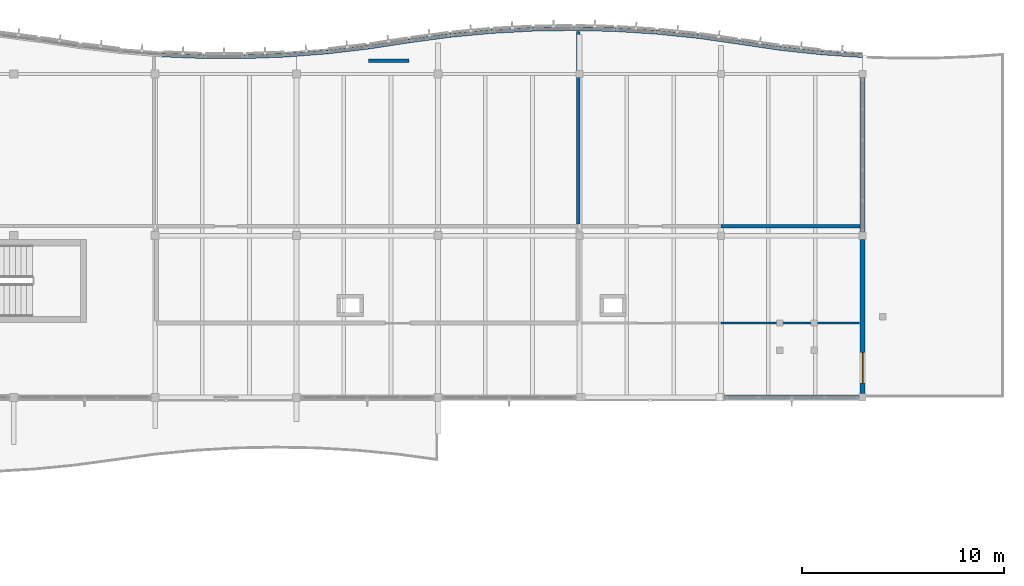
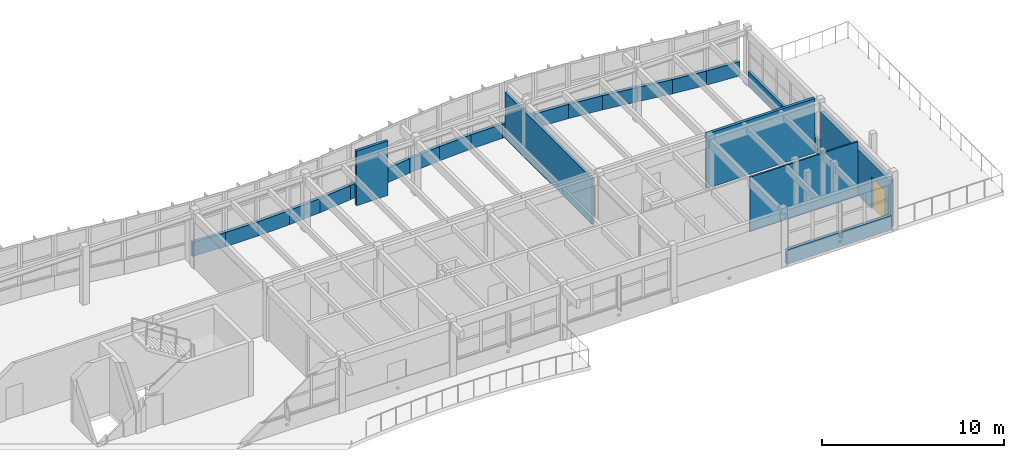
# One storey, part 43 of 63: 24 walls, 1 door, 1 opening.
"""IFC4 building model written with IfcOpenShell, lengths in metres."""

from ifc_helpers import new_model, si_unit, direction, frame, frame_2d, origin, place, context, subcontext, project, spatial, rectangle, extrude, material, layer, layer_set, type_object, element, fill, save


model = new_model("IFC4")

# Units and contexts
model_context = context("Model", 3, precision=1e-05, world=origin(), true_north=direction((0.0, 1.0)))
body_context = subcontext(model_context, "Body", "Model", "MODEL_VIEW")
ifc_project = project(units=[si_unit("LENGTHUNIT", "METRE"), si_unit("AREAUNIT", "SQUARE_METRE"), si_unit("VOLUMEUNIT", "CUBIC_METRE"), si_unit("PLANEANGLEUNIT", "RADIAN"), si_unit("MASSUNIT", "GRAM", prefix="KILO")], contexts=[model_context])

# Site, building, storey
site_placement = place(None, origin())
site = spatial("IfcSite", under=ifc_project, at=site_placement, CompositionType="ELEMENT")
building_placement = place(site_placement, origin())
building = spatial("IfcBuilding", under=site, at=building_placement, Name="Tonlespit Floodbar School", CompositionType="ELEMENT")
storey_placement = place(building_placement, frame((0.0, 0.0, 8.39990234375)))
storey = spatial("IfcBuildingStorey", under=building, at=storey_placement, Name="L02", CompositionType="ELEMENT", Elevation=8.39990234375)

# Wall, opening, door
ifc_material_1 = material(Name="Precast concrete C40/50", Category="concrete")
ifc_layer_1 = layer(ifc_material_1, 0.239990234375)
ifc_layer_set_1 = layer_set([ifc_layer_1], Name="Precast concrete C40/50")
wall_type_1 = type_object("IfcWallType", Name="ExtWall_Rainscreen_240", PredefinedType="SOLIDWALL", material=ifc_layer_set_1)
wall_1_placement = place(storey_placement, frame((169.0, 111.820068359375, 0.0), z_axis=(0.0, 0.0, 1.0), x_axis=(0.0, -1.0, 0.0)))
wall_1 = element("IfcWall", 1, at=wall_1_placement, inside=storey, type_object=wall_type_1, Name="L02 external wall 0622", PredefinedType="SOLIDWALL", context=body_context, shape_type="SweptSolid", body=[
    extrude(rectangle(XDim=7.64013671875, YDim=0.239990234375, at=frame_2d((3.820068359375, 0.0))), origin(), (0.0, 0.0, 1.0), 3.088134765625),
])
opening_placement = place(wall_1_placement, frame((5.60009765625, 0.0, 0.0)))
opening = element("IfcOpeningElement", 2, at=opening_placement, cuts=wall_1, Name="Opening D-TR-032", PredefinedType="OPENING", context=body_context, shape_type="SweptSolid", body=[
    extrude(rectangle(XDim=1.5, YDim=2.14990234375, at=frame_2d((0.75, 1.074951171875))), frame((0.0, 0.1298828125, 0.0), z_axis=(0.0, -1.0, 0.0), x_axis=(1.0, 0.0, 0.0)), (0.0, 0.0, 1.0), 0.260009765625),
])
ifc_material_2 = material(Name="Anodised Aluminium", Category="aluminium")
door_type = type_object("IfcDoorType", Name="ExtDoor_Terrace_1500x2150", OperationType="NOTDEFINED", PredefinedType="DOOR", material=ifc_material_2)
door_placement = place(opening_placement, origin())
door = element("IfcDoor", 3, at=door_placement, inside=storey, type_object=door_type, Name="L02 exterior door D-TR-032", OperationType="SINGLE_SWING_RIGHT", OverallHeight=2.14990234375, OverallWidth=1.5, PredefinedType="DOOR", context=body_context, shape_type="SweptSolid", body=[
    extrude(rectangle(XDim=1.5, YDim=2.14990234375, at=frame_2d((0.75, 1.074951171875))), frame((0.0, 0.02490234375, 0.0), z_axis=(0.0, -1.0, 0.0), x_axis=(1.0, 0.0, 0.0)), (0.0, 0.0, 1.0), 0.050048828125),
])
fill(opening, door)

# Walls
ifc_material_3 = material(Name="White Architectural Precast concrete C40/50", Category="concrete")
ifc_layer_2 = layer(ifc_material_3, 0.18505859375)
ifc_layer_set_2 = layer_set([ifc_layer_2], Name="White Architectural Precast concrete C40/50")
wall_type_2 = type_object("IfcWallType", Name="ExtWall_Spandrel_White_185", PredefinedType="SOLIDWALL", material=ifc_layer_set_2)
wall_2_placement = place(storey_placement, frame((169.0, 119.820068359375, 0.0), z_axis=(0.0, 0.0, 1.0), x_axis=(0.0, -1.0, 0.0)))
element("IfcWall", 4, at=wall_2_placement, inside=storey, type_object=wall_type_2, Name="L02 spandrel wall 0621", PredefinedType="SOLIDWALL", context=body_context, shape_type="SweptSolid", body=[
    extrude(rectangle(XDim=7.64013671875, YDim=0.18505859375, at=frame_2d((3.820068359375, 0.0))), origin(), (0.0, 0.0, 1.0), 0.9501953125),
])
ifc_layer_3 = layer(ifc_material_3, 0.199951171875)
ifc_layer_set_3 = layer_set([ifc_layer_3], Name="White Architectural Precast concrete C40/50")
wall_type_3 = type_object("IfcWallType", Name="ExtWall_Spandrel_White_200", PredefinedType="SOLIDWALL", material=ifc_layer_set_3)
wall_3_placement = place(storey_placement, frame((134.34619140625, 120.9462890625, 0.0), z_axis=(0.0, 0.0, 1.0), x_axis=(0.999157169977, -0.041048138616, 0.0)))
element("IfcWall", 5, at=wall_3_placement, inside=storey, type_object=wall_type_3, Name="L02 spandrel wall 0604", PredefinedType="SOLIDWALL", context=body_context, shape_type="SweptSolid", body=[
    extrude(rectangle(XDim=2.0400390625, YDim=0.199951171875, at=frame_2d((1.02001953125, 0.0))), origin(), (0.0, 0.0, 1.0), 0.9501953125),
])
wall_4_placement = place(storey_placement, frame((136.384521484375, 120.862548828125, 0.0), z_axis=(0.0, 0.0, 1.0), x_axis=(0.999998386465, -0.001796404287, 0.0)))
element("IfcWall", 6, at=wall_4_placement, inside=storey, type_object=wall_type_3, Name="L02 spandrel wall 0605", PredefinedType="SOLIDWALL", context=body_context, shape_type="SweptSolid", body=[
    extrude(rectangle(XDim=2.03857421875, YDim=0.199951171875, at=frame_2d((1.019287109375, 0.0))), origin(), (0.0, 0.0, 1.0), 0.9501953125),
])
wall_5_placement = place(storey_placement, frame((138.423095703125, 120.85888671875, 0.0), z_axis=(0.0, 0.0, 1.0), x_axis=(0.999302481561, 0.037343678794, 0.0)))
element("IfcWall", 7, at=wall_5_placement, inside=storey, type_object=wall_type_3, Name="L02 spandrel wall 0606", PredefinedType="SOLIDWALL", context=body_context, shape_type="SweptSolid", body=[
    extrude(rectangle(XDim=2.039794921875, YDim=0.199951171875, at=frame_2d((1.02001953125, 0.0))), origin(), (0.0, 0.0, 1.0), 0.9501953125),
])
wall_6_placement = place(storey_placement, frame((140.46142578125, 120.93505859375, 0.0), z_axis=(0.0, 0.0, 1.0), x_axis=(0.997066414333, 0.076541266058, 0.0)))
element("IfcWall", 8, at=wall_6_placement, inside=storey, type_object=wall_type_3, Name="L02 spandrel wall 0607", PredefinedType="SOLIDWALL", context=body_context, shape_type="SweptSolid", body=[
    extrude(rectangle(XDim=2.044677734375, YDim=0.199951171875, at=frame_2d((1.0224609375, 0.0))), origin(), (0.0, 0.0, 1.0), 0.9501953125),
])
wall_7_placement = place(storey_placement, frame((142.5, 121.091552734375, 0.0), z_axis=(0.0, 0.0, 1.0), x_axis=(0.993279103406, 0.115743780553, 0.0)))
element("IfcWall", 9, at=wall_7_placement, inside=storey, type_object=wall_type_3, Name="L02 spandrel wall 0608", PredefinedType="SOLIDWALL", context=body_context, shape_type="SweptSolid", body=[
    extrude(rectangle(XDim=2.05224609375, YDim=0.199951171875, at=frame_2d((1.026123046875, 0.0))), origin(), (0.0, 0.0, 1.0), 0.9501953125),
])
wall_8_placement = place(storey_placement, frame((144.53857421875, 121.3291015625, 0.0), z_axis=(0.0, 0.0, 1.0), x_axis=(0.988397686874, 0.151888158134, 0.0)))
element("IfcWall", 10, at=wall_8_placement, inside=storey, type_object=wall_type_3, Name="L02 spandrel wall 0609", PredefinedType="SOLIDWALL", context=body_context, shape_type="SweptSolid", body=[
    extrude(rectangle(XDim=2.062255859375, YDim=0.199951171875, at=frame_2d((1.03125, 0.0))), origin(), (0.0, 0.0, 1.0), 0.9501953125),
])
wall_9_placement = place(storey_placement, frame((146.576904296875, 121.642333984375, 0.0), z_axis=(0.0, 0.0, 1.0), x_axis=(0.99115518283, 0.132707963402, 0.0)))
element("IfcWall", 11, at=wall_9_placement, inside=storey, type_object=wall_type_3, Name="L02 spandrel wall 0610", PredefinedType="SOLIDWALL", context=body_context, shape_type="SweptSolid", body=[
    extrude(rectangle(XDim=2.056884765625, YDim=0.199951171875, at=frame_2d((1.0283203125, 0.0))), origin(), (0.0, 0.0, 1.0), 0.9501953125),
])
wall_10_placement = place(storey_placement, frame((148.615478515625, 121.915283203125, 0.0), z_axis=(0.0, 0.0, 1.0), x_axis=(0.995608908315, 0.093610371665, 0.0)))
element("IfcWall", 12, at=wall_10_placement, inside=storey, type_object=wall_type_3, Name="L02 spandrel wall 0611", PredefinedType="SOLIDWALL", context=body_context, shape_type="SweptSolid", body=[
    extrude(rectangle(XDim=2.04736328125, YDim=0.199951171875, at=frame_2d((1.023681640625, 0.0))), origin(), (0.0, 0.0, 1.0), 0.9501953125),
])
wall_11_placement = place(storey_placement, frame((150.65380859375, 122.10693359375, 0.0), z_axis=(0.0, 0.0, 1.0), x_axis=(0.998518662535, 0.054410298378, 0.0)))
element("IfcWall", 13, at=wall_11_placement, inside=storey, type_object=wall_type_3, Name="L02 spandrel wall 0612", PredefinedType="SOLIDWALL", context=body_context, shape_type="SweptSolid", body=[
    extrude(rectangle(XDim=2.04150390625, YDim=0.199951171875, at=frame_2d((1.020751953125, 0.0))), origin(), (0.0, 0.0, 1.0), 0.9501953125),
])
wall_12_placement = place(storey_placement, frame((152.6923828125, 122.218017578125, 0.0), z_axis=(0.0, 0.0, 1.0), x_axis=(0.999886140835, 0.01508990942, 0.0)))
element("IfcWall", 14, at=wall_12_placement, inside=storey, type_object=wall_type_3, Name="L02 spandrel wall 0613", PredefinedType="SOLIDWALL", context=body_context, shape_type="SweptSolid", body=[
    extrude(rectangle(XDim=2.03857421875, YDim=0.199951171875, at=frame_2d((1.019287109375, 0.0))), origin(), (0.0, 0.0, 1.0), 0.9501953125),
])
wall_13_placement = place(storey_placement, frame((154.730712890625, 122.248779296875, 0.0), z_axis=(0.0, 0.0, 1.0), x_axis=(0.99971327192, -0.02394522807, 0.0)))
element("IfcWall", 15, at=wall_13_placement, inside=storey, type_object=wall_type_3, Name="L02 spandrel wall 0614", PredefinedType="SOLIDWALL", context=body_context, shape_type="SweptSolid", body=[
    extrude(rectangle(XDim=2.0390625, YDim=0.199951171875, at=frame_2d((1.01953125, 0.0))), origin(), (0.0, 0.0, 1.0), 0.9501953125),
])
wall_14_placement = place(storey_placement, frame((156.769287109375, 122.199951171875, 0.0), z_axis=(0.0, 0.0, 1.0), x_axis=(0.99799872308, -0.063234078873, 0.0)))
element("IfcWall", 16, at=wall_14_placement, inside=storey, type_object=wall_type_3, Name="L02 spandrel wall 0615", PredefinedType="SOLIDWALL", context=body_context, shape_type="SweptSolid", body=[
    extrude(rectangle(XDim=2.04248046875, YDim=0.199951171875, at=frame_2d((1.021240234375, 0.0))), origin(), (0.0, 0.0, 1.0), 0.9501953125),
])
wall_15_placement = place(storey_placement, frame((158.8076171875, 122.07080078125, 0.0), z_axis=(0.0, 0.0, 1.0), x_axis=(0.994725796178, -0.102569929402, 0.0)))
element("IfcWall", 17, at=wall_15_placement, inside=storey, type_object=wall_type_3, Name="L02 spandrel wall 0616", PredefinedType="SOLIDWALL", context=body_context, shape_type="SweptSolid", body=[
    extrude(rectangle(XDim=2.04931640625, YDim=0.199951171875, at=frame_2d((1.024658203125, 0.0))), origin(), (0.0, 0.0, 1.0), 0.9501953125),
])
wall_16_placement = place(storey_placement, frame((160.84619140625, 121.860595703125, 0.0), z_axis=(0.0, 0.0, 1.0), x_axis=(0.989928140064, -0.141570750897, 0.0)))
element("IfcWall", 18, at=wall_16_placement, inside=storey, type_object=wall_type_3, Name="L02 spandrel wall 0617", PredefinedType="SOLIDWALL", context=body_context, shape_type="SweptSolid", body=[
    extrude(rectangle(XDim=2.05908203125, YDim=0.199951171875, at=frame_2d((1.029541015625, 0.0))), origin(), (0.0, 0.0, 1.0), 0.9501953125),
])
wall_17_placement = place(storey_placement, frame((162.884521484375, 121.569091796875, 0.0), z_axis=(0.0, 0.0, 1.0), x_axis=(0.989289802652, -0.145964675074, 0.0)))
element("IfcWall", 19, at=wall_17_placement, inside=storey, type_object=wall_type_3, Name="L02 spandrel wall 0618", PredefinedType="SOLIDWALL", context=body_context, shape_type="SweptSolid", body=[
    extrude(rectangle(XDim=2.060546875, YDim=0.199951171875, at=frame_2d((1.0302734375, 0.0))), origin(), (0.0, 0.0, 1.0), 0.9501953125),
])
wall_18_placement = place(storey_placement, frame((164.923095703125, 121.268310546875, 0.0), z_axis=(0.0, 0.0, 1.0), x_axis=(0.994265369638, -0.106940987176, 0.0)))
element("IfcWall", 20, at=wall_18_placement, inside=storey, type_object=wall_type_3, Name="L02 spandrel wall 0619", PredefinedType="SOLIDWALL", context=body_context, shape_type="SweptSolid", body=[
    extrude(rectangle(XDim=2.050048828125, YDim=0.199951171875, at=frame_2d((1.02490234375, 0.0))), origin(), (0.0, 0.0, 1.0), 0.9501953125),
])
wall_19_placement = place(storey_placement, frame((166.96142578125, 121.049072265625, 0.0), z_axis=(0.0, 0.0, 1.0), x_axis=(0.997702452791, -0.067748178531, 0.0)))
element("IfcWall", 21, at=wall_19_placement, inside=storey, type_object=wall_type_3, Name="L02 spandrel wall 0620", PredefinedType="SOLIDWALL", context=body_context, shape_type="SweptSolid", body=[
    extrude(rectangle(XDim=2.043212890625, YDim=0.199951171875, at=frame_2d((1.021484375, 0.0))), origin(), (0.0, 0.0, 1.0), 0.9501953125),
])
wall_20_placement = place(storey_placement, frame((168.820068359375, 104.0, 0.0), z_axis=(0.0, 0.0, 1.0), x_axis=(-1.0, 0.0, 0.0)))
element("IfcWall", 22, at=wall_20_placement, inside=storey, type_object=wall_type_3, Name="L02 spandrel wall 0623", PredefinedType="SOLIDWALL", context=body_context, shape_type="SweptSolid", body=[
    extrude(rectangle(XDim=6.64013671875, YDim=0.199951171875, at=frame_2d((3.320068359375, 0.0))), origin(), (0.0, 0.0, 1.0), 0.9501953125),
])
ifc_material_4 = material(Name="Gypsum Plasterboard Partition")
ifc_layer_4 = layer(ifc_material_4, 0.10009765625)
ifc_layer_set_4 = layer_set([ifc_layer_4], Name="Gypsum Plasterboard Partition")
wall_type_4 = type_object("IfcWallType", Name="Partition_Gyp_100", PredefinedType="PARTITIONING", material=ifc_layer_set_4)
wall_21_placement = place(storey_placement, frame((162.0, 107.669921875, 0.0), z_axis=(0.0, 0.0, 1.0), x_axis=(1.0, 0.0, 0.0)))
element("IfcWall", 23, at=wall_21_placement, inside=storey, type_object=wall_type_4, Name="L02 partition wall 0407", PredefinedType="PARTITIONING", context=body_context, shape_type="SweptSolid", body=[
    extrude(rectangle(XDim=6.837890625, YDim=0.10009765625, at=frame_2d((3.4189453125, 0.0))), origin(), (0.0, 0.0, 1.0), 3.650146484375),
])
ifc_layer_5 = layer(ifc_material_4, 0.169921875)
ifc_layer_set_5 = layer_set([ifc_layer_5], Name="Gypsum Plasterboard Partition")
wall_type_5 = type_object("IfcWallType", Name="Partition_Gyp_170", PredefinedType="PARTITIONING", material=ifc_layer_set_5)
wall_22_placement = place(storey_placement, frame((144.55859375, 120.64794921875, 0.0), z_axis=(0.0, 0.0, 1.0), x_axis=(1.0, 0.0, 0.0)))
element("IfcWall", 24, at=wall_22_placement, inside=storey, type_object=wall_type_5, Name="L02 partition wall 0397", PredefinedType="PARTITIONING", context=body_context, shape_type="SweptSolid", body=[
    extrude(rectangle(XDim=1.998291015625, YDim=0.169921875, at=frame_2d((0.9990234375, 0.0))), origin(), (0.0, 0.0, 1.0), 3.650146484375),
])
wall_23_placement = place(storey_placement, frame((154.929931640625, 112.570068359375, 0.0), z_axis=(0.0, 0.0, 1.0), x_axis=(0.0, 1.0, 0.0)))
element("IfcWall", 25, at=wall_23_placement, inside=storey, type_object=wall_type_5, Name="L02 partition wall 0398", PredefinedType="PARTITIONING", context=body_context, shape_type="SweptSolid", body=[
    extrude(rectangle(XDim=9.531982421875, YDim=0.169921875, at=frame_2d((4.76611328125, 0.0))), origin(), (0.0, 0.0, 1.0), 3.085205078125),
])
ifc_layer_6 = layer(ifc_material_4, 0.18505859375)
ifc_layer_set_6 = layer_set([ifc_layer_6], Name="Gypsum Plasterboard Partition")
wall_type_6 = type_object("IfcWallType", Name="Partition_Gyp_185", PredefinedType="PARTITIONING", material=ifc_layer_set_6)
wall_24_placement = place(storey_placement, frame((162.0, 112.469970703125, 0.0), z_axis=(0.0, 0.0, 1.0), x_axis=(1.0, 0.0, 0.0)))
element("IfcWall", 26, at=wall_24_placement, inside=storey, type_object=wall_type_6, Name="L02 partition wall 0400", PredefinedType="PARTITIONING", context=body_context, shape_type="SweptSolid", body=[
    extrude(rectangle(XDim=6.865478515625, YDim=0.18505859375, at=frame_2d((3.4326171875, 0.0))), origin(), (0.0, 0.0, 1.0), 3.650146484375),
])

save(model, "model.ifc")
